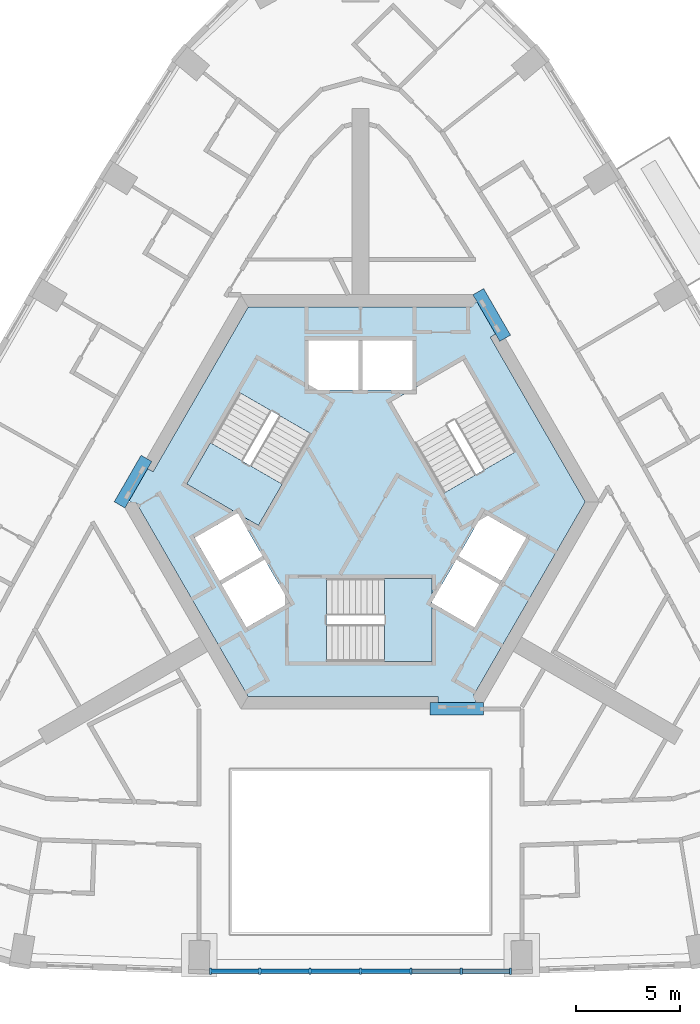
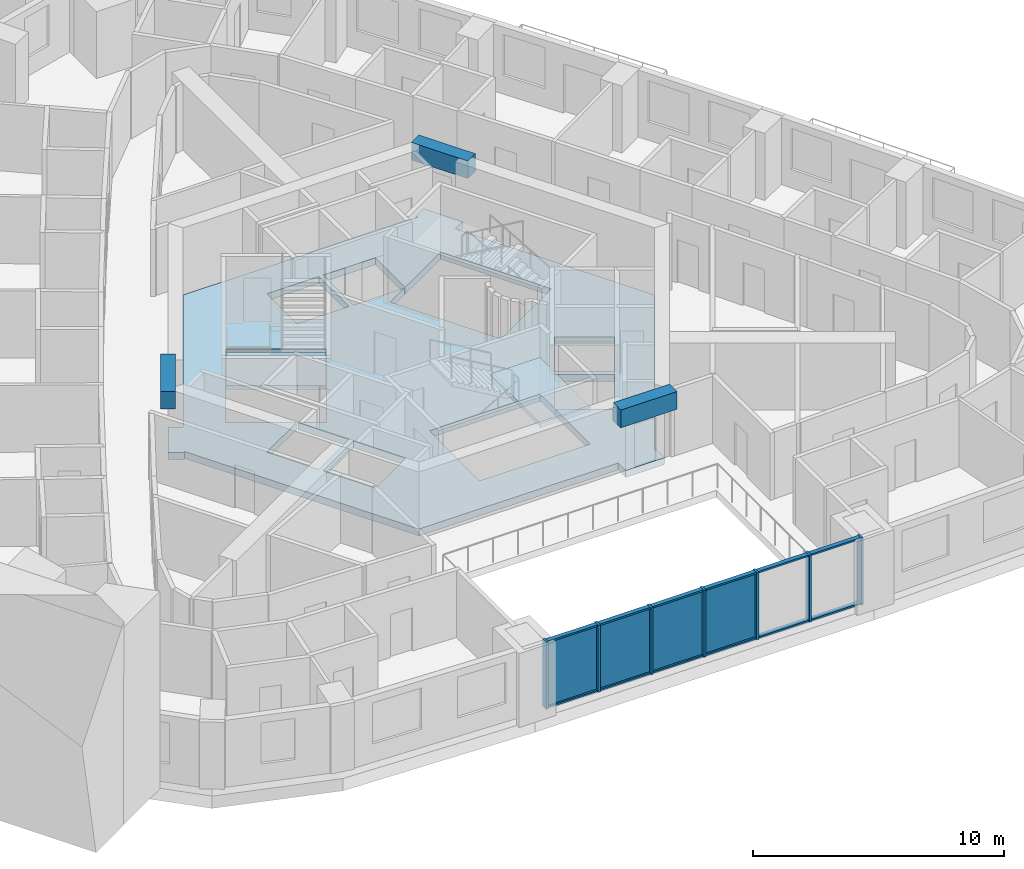
# One storey, part 2 of 14: 19 members, 4 plates, 3 beams, 3 slabs, 3 elements without a shape of their own.
"""IFC4 building model written with IfcOpenShell, lengths in metres."""

from ifc_helpers import new_model, si_unit, direction, frame, origin, origin_2d, place, context, subcontext, project, spatial, polyline, rectangle, outline, extrude, material, layer, layer_set, material_profile, profile_set, type_object, element, aggregate, save


model = new_model("IFC4")

# Units and contexts
model_context = context("Model", 3, precision=1e-05, world=origin(), true_north=direction((0.0, 1.0)))
body_context = subcontext(model_context, "Body", "Model", "MODEL_VIEW")
ifc_project = project(units=[si_unit("LENGTHUNIT", "METRE"), si_unit("AREAUNIT", "SQUARE_METRE"), si_unit("VOLUMEUNIT", "CUBIC_METRE"), si_unit("PLANEANGLEUNIT", "RADIAN"), si_unit("MASSUNIT", "GRAM", prefix="KILO")], contexts=[model_context])

# Site, building, storey
site_placement = place(None, origin())
site = spatial("IfcSite", under=ifc_project, at=site_placement, CompositionType="ELEMENT")
building_placement = place(site_placement, origin())
building = spatial("IfcBuilding", under=site, at=building_placement, Name="Entoto Arch Interchange Tower", CompositionType="ELEMENT")
storey_placement = place(building_placement, frame((0.0, 0.0, 252.199951171875)))
storey = spatial("IfcBuildingStorey", under=building, at=storey_placement, Name="L57", CompositionType="ELEMENT", Elevation=252.199951171875)

# Beams
ifc_material_1 = material(Name="Concrete C40/50", Category="concrete")
ifc_material_profile_1 = material_profile(ifc_material_1, rectangle(XDim=0.60009765625, YDim=0.860107421875, at=origin_2d()))
ifc_profile_set_1 = profile_set([ifc_material_profile_1], Name="Concrete C40/50")
beam_type = type_object("IfcBeamType", Name="Coupling beam RC 600x860 C40/50", PredefinedType="BEAM", material=ifc_profile_set_1)
beam_1_placement = place(storey_placement, frame((6.986083984375, 10.40087890625, 2.830078125), z_axis=(-0.500379508478, 0.865806183562, 0.0), x_axis=(-0.865806183562, -0.500379508478, 0.0)))
element("IfcBeam", 1, at=beam_1_placement, inside=storey, type_object=beam_type, Name="Coupling beam NE L57", PredefinedType="BEAM", context=body_context, shape_type="SweptSolid", body=[
    extrude(rectangle(XDim=0.60009765625, YDim=0.860107421875, at=origin_2d()), origin(), (0.0, 0.0, 1.0), 2.59423828125),
])
beam_2_placement = place(storey_placement, frame((-10.3359375, 4.59912109375, 2.830078125), z_axis=(-0.499814819145, -0.866132291606, 0.0), x_axis=(0.866132291606, -0.499814819145, 0.0)))
element("IfcBeam", 2, at=beam_2_placement, inside=storey, type_object=beam_type, Name="Coupling beam NW L57", PredefinedType="BEAM", context=body_context, shape_type="SweptSolid", body=[
    extrude(rectangle(XDim=0.60009765625, YDim=0.860107421875, at=origin_2d()), origin(), (0.0, 0.0, 1.0), 2.59326171875),
])
beam_3_placement = place(storey_placement, frame((3.35009765625, -7.5, 2.830078125), z_axis=(1.0, 0.0, 0.0), x_axis=(0.0, 1.0, 0.0)))
element("IfcBeam", 3, at=beam_3_placement, inside=storey, type_object=beam_type, Name="Coupling beam S L57", PredefinedType="BEAM", context=body_context, shape_type="SweptSolid", body=[
    extrude(rectangle(XDim=0.60009765625, YDim=0.860107421875, at=origin_2d()), origin(), (0.0, 0.0, 1.0), 2.593994140625),
])

# Curtain wall, members
ifc_material_2 = material(Name="Aluminium, anodised", Category="aluminium")
curtain_wall_type = type_object("IfcCurtainWallType", Name="CURTAIN WALL ATRIUM", PredefinedType="NOTDEFINED", material=ifc_material_2)
curtain_wall_placement = place(storey_placement, origin())
curtain_wall = element("IfcCurtainWall", 4, at=curtain_wall_placement, inside=storey, type_object=curtain_wall_type, Name="Atrium glazing S-02 L57", PredefinedType="NOTDEFINED")
ifc_material_profile_2 = material_profile(ifc_material_2, rectangle(XDim=0.300048828125, YDim=0.10009765625, at=origin_2d()))
ifc_profile_set_2 = profile_set([ifc_material_profile_2], Name="Aluminium, anodised")
member_type_1 = type_object("IfcMemberType", Name="MULLION ATRIUM 100x300", PredefinedType="MULLION", material=ifc_profile_set_2)
member_1_placement = place(storey_placement, frame((-7.2490234375, -20.1640625, 0.0), z_axis=(0.0, 0.0, 1.0), x_axis=(0.0, 1.0, 0.0)))
member_1 = element("IfcMember", 5, at=member_1_placement, type_object=member_type_1, Name="CWA mullion 1", PredefinedType="MULLION", context=body_context, shape_type="SweptSolid", body=[
    extrude(rectangle(XDim=0.300048828125, YDim=0.10009765625, at=origin_2d()), origin(), (0.0, 0.0, 1.0), 3.260009765625),
])
member_2_placement = place(storey_placement, frame((-4.865966796875, -20.1640625, 0.0), z_axis=(0.0, 0.0, 1.0), x_axis=(0.0, 1.0, 0.0)))
member_2 = element("IfcMember", 6, at=member_2_placement, type_object=member_type_1, Name="CWA mullion 2", PredefinedType="MULLION", context=body_context, shape_type="SweptSolid", body=[
    extrude(rectangle(XDim=0.300048828125, YDim=0.10009765625, at=origin_2d()), origin(), (0.0, 0.0, 1.0), 3.260009765625),
])
member_3_placement = place(storey_placement, frame((-2.43310546875, -20.1640625, 0.0), z_axis=(0.0, 0.0, 1.0), x_axis=(0.0, 1.0, 0.0)))
member_3 = element("IfcMember", 7, at=member_3_placement, type_object=member_type_1, Name="CWA mullion 3", PredefinedType="MULLION", context=body_context, shape_type="SweptSolid", body=[
    extrude(rectangle(XDim=0.300048828125, YDim=0.10009765625, at=origin_2d()), origin(), (0.0, 0.0, 1.0), 3.260009765625),
])
member_4_placement = place(storey_placement, frame((0.0, -20.1640625, 0.0), z_axis=(0.0, 0.0, 1.0), x_axis=(0.0, 1.0, 0.0)))
member_4 = element("IfcMember", 8, at=member_4_placement, type_object=member_type_1, Name="CWA mullion 4", PredefinedType="MULLION", context=body_context, shape_type="SweptSolid", body=[
    extrude(rectangle(XDim=0.300048828125, YDim=0.10009765625, at=origin_2d()), origin(), (0.0, 0.0, 1.0), 3.260009765625),
])
member_5_placement = place(storey_placement, frame((2.43310546875, -20.1640625, 0.0), z_axis=(0.0, 0.0, 1.0), x_axis=(0.0, 1.0, 0.0)))
member_5 = element("IfcMember", 9, at=member_5_placement, type_object=member_type_1, Name="CWA mullion 5", PredefinedType="MULLION", context=body_context, shape_type="SweptSolid", body=[
    extrude(rectangle(XDim=0.300048828125, YDim=0.10009765625, at=origin_2d()), origin(), (0.0, 0.0, 1.0), 3.260009765625),
])
member_6_placement = place(storey_placement, frame((4.865966796875, -20.1640625, 0.0), z_axis=(0.0, 0.0, 1.0), x_axis=(0.0, 1.0, 0.0)))
member_6 = element("IfcMember", 10, at=member_6_placement, type_object=member_type_1, Name="CWA mullion 6", PredefinedType="MULLION", context=body_context, shape_type="SweptSolid", body=[
    extrude(rectangle(XDim=0.300048828125, YDim=0.10009765625, at=origin_2d()), origin(), (0.0, 0.0, 1.0), 3.260009765625),
])
member_7_placement = place(storey_placement, frame((7.2490234375, -20.1640625, 0.0), z_axis=(0.0, 0.0, 1.0), x_axis=(0.0, 1.0, 0.0)))
member_7 = element("IfcMember", 11, at=member_7_placement, type_object=member_type_1, Name="CWA mullion 7", PredefinedType="MULLION", context=body_context, shape_type="SweptSolid", body=[
    extrude(rectangle(XDim=0.300048828125, YDim=0.10009765625, at=origin_2d()), origin(), (0.0, 0.0, 1.0), 3.260009765625),
])
ifc_material_profile_3 = material_profile(ifc_material_2, rectangle(XDim=0.199951171875, YDim=0.080078125, at=origin_2d()))
ifc_profile_set_3 = profile_set([ifc_material_profile_3], Name="Aluminium, anodised")
member_type_2 = type_object("IfcMemberType", Name="TRANSOM ATRIUM 80x200", PredefinedType="USERDEFINED", material=ifc_profile_set_3)
member_8_placement = place(storey_placement, frame((-7.198974609375, -20.1640625, 0.0400390625), z_axis=(1.0, 0.0, 0.0), x_axis=(0.0, 1.0, 0.0)))
member_8 = element("IfcMember", 12, at=member_8_placement, type_object=member_type_2, Name="CWA transom 1.1", ObjectType="TRANSOM", PredefinedType="USERDEFINED", context=body_context, shape_type="SweptSolid", body=[
    extrude(rectangle(XDim=0.199951171875, YDim=0.080078125, at=origin_2d()), origin(), (0.0, 0.0, 1.0), 2.282958984375),
])
member_9_placement = place(storey_placement, frame((-7.198974609375, -20.1640625, 3.219970703125), z_axis=(1.0, 0.0, 0.0), x_axis=(0.0, 1.0, 0.0)))
member_9 = element("IfcMember", 13, at=member_9_placement, type_object=member_type_2, Name="CWA transom 1.2", ObjectType="TRANSOM", PredefinedType="USERDEFINED", context=body_context, shape_type="SweptSolid", body=[
    extrude(rectangle(XDim=0.199951171875, YDim=0.080078125, at=origin_2d()), origin(), (0.0, 0.0, 1.0), 2.282958984375),
])
member_10_placement = place(storey_placement, frame((-4.81591796875, -20.1640625, 0.0400390625), z_axis=(1.0, 0.0, 0.0), x_axis=(0.0, 1.0, 0.0)))
member_10 = element("IfcMember", 14, at=member_10_placement, type_object=member_type_2, Name="CWA transom 2.1", ObjectType="TRANSOM", PredefinedType="USERDEFINED", context=body_context, shape_type="SweptSolid", body=[
    extrude(rectangle(XDim=0.199951171875, YDim=0.080078125, at=origin_2d()), origin(), (0.0, 0.0, 1.0), 2.3330078125),
])
member_11_placement = place(storey_placement, frame((-4.81591796875, -20.1640625, 3.219970703125), z_axis=(1.0, 0.0, 0.0), x_axis=(0.0, 1.0, 0.0)))
member_11 = element("IfcMember", 15, at=member_11_placement, type_object=member_type_2, Name="CWA transom 2.2", ObjectType="TRANSOM", PredefinedType="USERDEFINED", context=body_context, shape_type="SweptSolid", body=[
    extrude(rectangle(XDim=0.199951171875, YDim=0.080078125, at=origin_2d()), origin(), (0.0, 0.0, 1.0), 2.3330078125),
])
member_12_placement = place(storey_placement, frame((-2.383056640625, -20.1640625, 0.0400390625), z_axis=(1.0, 0.0, 0.0), x_axis=(0.0, 1.0, 0.0)))
member_12 = element("IfcMember", 16, at=member_12_placement, type_object=member_type_2, Name="CWA transom 3.1", ObjectType="TRANSOM", PredefinedType="USERDEFINED", context=body_context, shape_type="SweptSolid", body=[
    extrude(rectangle(XDim=0.199951171875, YDim=0.080078125, at=origin_2d()), origin(), (0.0, 0.0, 1.0), 2.3330078125),
])
member_13_placement = place(storey_placement, frame((-2.383056640625, -20.1640625, 3.219970703125), z_axis=(1.0, 0.0, 0.0), x_axis=(0.0, 1.0, 0.0)))
member_13 = element("IfcMember", 17, at=member_13_placement, type_object=member_type_2, Name="CWA transom 3.2", ObjectType="TRANSOM", PredefinedType="USERDEFINED", context=body_context, shape_type="SweptSolid", body=[
    extrude(rectangle(XDim=0.199951171875, YDim=0.080078125, at=origin_2d()), origin(), (0.0, 0.0, 1.0), 2.3330078125),
])
member_14_placement = place(storey_placement, frame((0.050048828125, -20.1640625, 0.0400390625), z_axis=(1.0, 0.0, 0.0), x_axis=(0.0, 1.0, 0.0)))
member_14 = element("IfcMember", 18, at=member_14_placement, type_object=member_type_2, Name="CWA transom 4.1", ObjectType="TRANSOM", PredefinedType="USERDEFINED", context=body_context, shape_type="SweptSolid", body=[
    extrude(rectangle(XDim=0.199951171875, YDim=0.080078125, at=origin_2d()), origin(), (0.0, 0.0, 1.0), 2.3330078125),
])
member_15_placement = place(storey_placement, frame((0.050048828125, -20.1640625, 3.219970703125), z_axis=(1.0, 0.0, 0.0), x_axis=(0.0, 1.0, 0.0)))
member_15 = element("IfcMember", 19, at=member_15_placement, type_object=member_type_2, Name="CWA transom 4.2", ObjectType="TRANSOM", PredefinedType="USERDEFINED", context=body_context, shape_type="SweptSolid", body=[
    extrude(rectangle(XDim=0.199951171875, YDim=0.080078125, at=origin_2d()), origin(), (0.0, 0.0, 1.0), 2.3330078125),
])
member_16_placement = place(storey_placement, frame((2.48291015625, -20.1640625, 0.0400390625), z_axis=(1.0, 0.0, 0.0), x_axis=(0.0, 1.0, 0.0)))
member_16 = element("IfcMember", 20, at=member_16_placement, type_object=member_type_2, Name="CWA transom 5.1", ObjectType="TRANSOM", PredefinedType="USERDEFINED", context=body_context, shape_type="SweptSolid", body=[
    extrude(rectangle(XDim=0.199951171875, YDim=0.080078125, at=origin_2d()), origin(), (0.0, 0.0, 1.0), 2.3330078125),
])
member_17_placement = place(storey_placement, frame((2.48291015625, -20.1640625, 3.219970703125), z_axis=(1.0, 0.0, 0.0), x_axis=(0.0, 1.0, 0.0)))
member_17 = element("IfcMember", 21, at=member_17_placement, type_object=member_type_2, Name="CWA transom 5.2", ObjectType="TRANSOM", PredefinedType="USERDEFINED", context=body_context, shape_type="SweptSolid", body=[
    extrude(rectangle(XDim=0.199951171875, YDim=0.080078125, at=origin_2d()), origin(), (0.0, 0.0, 1.0), 2.3330078125),
])
member_18_placement = place(storey_placement, frame((4.916015625, -20.1640625, 0.0400390625), z_axis=(1.0, 0.0, 0.0), x_axis=(0.0, 1.0, 0.0)))
member_18 = element("IfcMember", 22, at=member_18_placement, type_object=member_type_2, Name="CWA transom 6.1", ObjectType="TRANSOM", PredefinedType="USERDEFINED", context=body_context, shape_type="SweptSolid", body=[
    extrude(rectangle(XDim=0.199951171875, YDim=0.080078125, at=origin_2d()), origin(), (0.0, 0.0, 1.0), 2.282958984375),
])
member_19_placement = place(storey_placement, frame((4.916015625, -20.1640625, 3.219970703125), z_axis=(1.0, 0.0, 0.0), x_axis=(0.0, 1.0, 0.0)))
member_19 = element("IfcMember", 23, at=member_19_placement, type_object=member_type_2, Name="CWA transom 6.2", ObjectType="TRANSOM", PredefinedType="USERDEFINED", context=body_context, shape_type="SweptSolid", body=[
    extrude(rectangle(XDim=0.199951171875, YDim=0.080078125, at=origin_2d()), origin(), (0.0, 0.0, 1.0), 2.282958984375),
])

# Slab
ifc_layer_1 = layer(ifc_material_1, 0.340087890625)
ifc_layer_set_1 = layer_set([ifc_layer_1], Name="Concrete C40/50")
slab_type_1 = type_object("IfcSlabType", Name="Core floor slab 340 C40/50", PredefinedType="FLOOR", material=ifc_layer_set_1)
slab_1_placement = place(storey_placement, frame((0.0, 0.0, -0.33984375)))
element("IfcSlab", 24, at=slab_1_placement, inside=storey, type_object=slab_type_1, Name="Core floor slab L57", PredefinedType="FLOOR", context=body_context, shape_type="SweptSolid", body=[
    extrude(outline(polyline([(-10.824951171875, 2.450927734375), (-10.8701171875, 2.3740234375), (-11.431884765625, 2.698974609375), (-10.535888671875, 4.2529296875), (-10.014892578125, 3.952880859375), (-5.427001953125, 11.89990234375), (5.368896484375, 11.89990234375), (5.325927734375, 11.97607421875), (5.887939453125, 12.301025390625), (6.784912109375, 10.7470703125), (6.26611328125, 10.447021484375), (10.85400390625, 2.5), (5.4560546875, -6.85009765625), (5.5439453125, -6.85009765625), (5.5439453125, -7.5), (3.75, -7.5), (3.75, -6.89990234375), (-5.427001953125, -6.89990234375), (-10.824951171875, 2.450927734375)]), holes=[polyline([(-1.64990234375, -5.199951171875), (3.449951171875, -5.199951171875), (3.449951171875, -2.3779296875), (5.5048828125, -3.56494140625), (6.705078125, -1.487060546875), (4.626953125, -0.287109375), (3.449951171875, -2.324951171875), (3.449951171875, -1.199951171875), (-1.64990234375, -1.199951171875), (-1.64990234375, -5.199951171875)]), polyline([(-4.626953125, -0.287109375), (-6.705078125, -1.487060546875), (-5.5048828125, -3.56494140625), (-3.427001953125, -2.364990234375), (-4.626953125, -0.287109375)]), polyline([(-5.904052734375, 1.925048828125), (-4.928955078125, 1.362060546875), (-2.37890625, 5.779052734375), (-5.843017578125, 7.779052734375), (-8.39306640625, 3.362060546875), (-5.949951171875, 1.951904296875), (-8.0048828125, 0.764892578125), (-6.804931640625, -1.31298828125), (-4.72705078125, -0.113037109375), (-5.904052734375, 1.925048828125)]), polyline([(4.72705078125, -0.113037109375), (6.804931640625, -1.31298828125), (8.0048828125, 0.764892578125), (5.927001953125, 1.965087890625), (4.72705078125, -0.113037109375)]), polyline([(2.5, 7.927001953125), (2.5, 10.300048828125), (0.10009765625, 10.300048828125), (0.10009765625, 7.89990234375), (2.452880859375, 7.89990234375), (1.47900390625, 7.337890625), (4.029052734375, 2.9208984375), (7.492919921875, 4.9208984375), (4.943115234375, 9.337890625), (2.5, 7.927001953125)]), polyline([(-2.5, 7.89990234375), (-0.10009765625, 7.89990234375), (-0.10009765625, 10.300048828125), (-2.5, 10.300048828125), (-2.5, 7.89990234375)])]), origin(), (0.0, 0.0, 1.0), 0.33984375),
])

# Stair, slab
stair_type = type_object("IfcStairType", Name="EXIT STAIR RC 1800", PredefinedType="HALF_TURN_STAIR", material=ifc_material_1)
stair_1_placement = place(storey_placement, origin())
stair_1 = element("IfcStair", 25, at=stair_1_placement, inside=storey, type_object=stair_type, Name="L57 Exit stair S", PredefinedType="HALF_TURN_STAIR")
ifc_layer_2 = layer(ifc_material_1, 0.199951171875)
ifc_layer_set_2 = layer_set([ifc_layer_2], Name="Concrete C40/50")
slab_type_2 = type_object("IfcSlabType", Name="EXIT STAIR LANDING RC 200", PredefinedType="LANDING", material=ifc_layer_set_2)
slab_2_placement = place(storey_placement, frame((0.0, 0.0, 1.60009765625)))
slab_2 = element("IfcSlab", 26, at=slab_2_placement, type_object=slab_type_2, Name="ST-S landing 1", PredefinedType="LANDING", context=body_context, shape_type="SweptSolid", body=[
    extrude(outline(polyline([(1.14990234375, -5.199951171875), (3.449951171875, -5.199951171875), (3.449951171875, -1.199951171875), (1.14990234375, -1.199951171875), (1.14990234375, -5.199951171875)])), origin(), (0.0, 0.0, 1.0), 0.199951171875),
])
aggregate(stair_1, [slab_2])

stair_2_placement = place(storey_placement, origin())
stair_2 = element("IfcStair", 27, at=stair_2_placement, inside=storey, type_object=stair_type, Name="L57 Exit stair NW", PredefinedType="HALF_TURN_STAIR")
slab_3_placement = place(storey_placement, frame((0.0, 0.0, 1.60009765625)))
slab_3 = element("IfcSlab", 28, at=slab_3_placement, type_object=slab_type_2, Name="ST-NW landing 1", PredefinedType="LANDING", context=body_context, shape_type="SweptSolid", body=[
    extrude(outline(polyline([(-7.243408203125, 5.35400390625), (-8.393310546875, 3.3623046875), (-4.92919921875, 1.3623046875), (-3.779296875, 3.35400390625), (-7.243408203125, 5.35400390625)])), origin(), (0.0, 0.0, 1.0), 0.199951171875),
])
aggregate(stair_2, [slab_3])

# Plate
ifc_material_3 = material(Name="Clear glass, low-e double glazed", Category="glass")
ifc_layer_3 = layer(ifc_material_3, 0.031982421875)
ifc_layer_set_3 = layer_set([ifc_layer_3], Name="Clear glass, low-e double glazed")
plate_type = type_object("IfcPlateType", Name="GLAZING PANEL ATRIUM 32", PredefinedType="CURTAIN_PANEL", material=ifc_layer_set_3)
plate_1_placement = place(storey_placement, frame((-6.0576171875, -20.1640625, 0.080078125), z_axis=(0.0, 0.0, 1.0), x_axis=(1.0, 0.0, 0.0)))
plate_1 = element("IfcPlate", 29, at=plate_1_placement, type_object=plate_type, Name="CWA panel 1.1", PredefinedType="CURTAIN_PANEL", context=body_context, shape_type="SweptSolid", body=[
    extrude(rectangle(XDim=2.282958984375, YDim=0.031982421875, at=origin_2d()), origin(), (0.0, 0.0, 1.0), 3.10009765625),
])

plate_2_placement = place(storey_placement, frame((-3.6494140625, -20.1640625, 0.080078125), z_axis=(0.0, 0.0, 1.0), x_axis=(1.0, 0.0, 0.0)))
plate_2 = element("IfcPlate", 30, at=plate_2_placement, type_object=plate_type, Name="CWA panel 2.1", PredefinedType="CURTAIN_PANEL", context=body_context, shape_type="SweptSolid", body=[
    extrude(rectangle(XDim=2.3330078125, YDim=0.031982421875, at=origin_2d()), origin(), (0.0, 0.0, 1.0), 3.10009765625),
])

plate_3_placement = place(storey_placement, frame((-1.216552734375, -20.1640625, 0.080078125), z_axis=(0.0, 0.0, 1.0), x_axis=(1.0, 0.0, 0.0)))
plate_3 = element("IfcPlate", 31, at=plate_3_placement, type_object=plate_type, Name="CWA panel 3.1", PredefinedType="CURTAIN_PANEL", context=body_context, shape_type="SweptSolid", body=[
    extrude(rectangle(XDim=2.3330078125, YDim=0.031982421875, at=origin_2d()), origin(), (0.0, 0.0, 1.0), 3.10009765625),
])

plate_4_placement = place(storey_placement, frame((1.216552734375, -20.1640625, 0.080078125), z_axis=(0.0, 0.0, 1.0), x_axis=(1.0, 0.0, 0.0)))
plate_4 = element("IfcPlate", 32, at=plate_4_placement, type_object=plate_type, Name="CWA panel 4.1", PredefinedType="CURTAIN_PANEL", context=body_context, shape_type="SweptSolid", body=[
    extrude(rectangle(XDim=2.3330078125, YDim=0.031982421875, at=origin_2d()), origin(), (0.0, 0.0, 1.0), 3.10009765625),
])

aggregate(curtain_wall, [member_1, member_2, member_3, member_4, member_5, member_6, member_7, member_8, member_9, plate_1, member_10, member_11, plate_2, member_12, member_13, plate_3, member_14, member_15, plate_4, member_16, member_17, member_18, member_19])

save(model, "model.ifc")
